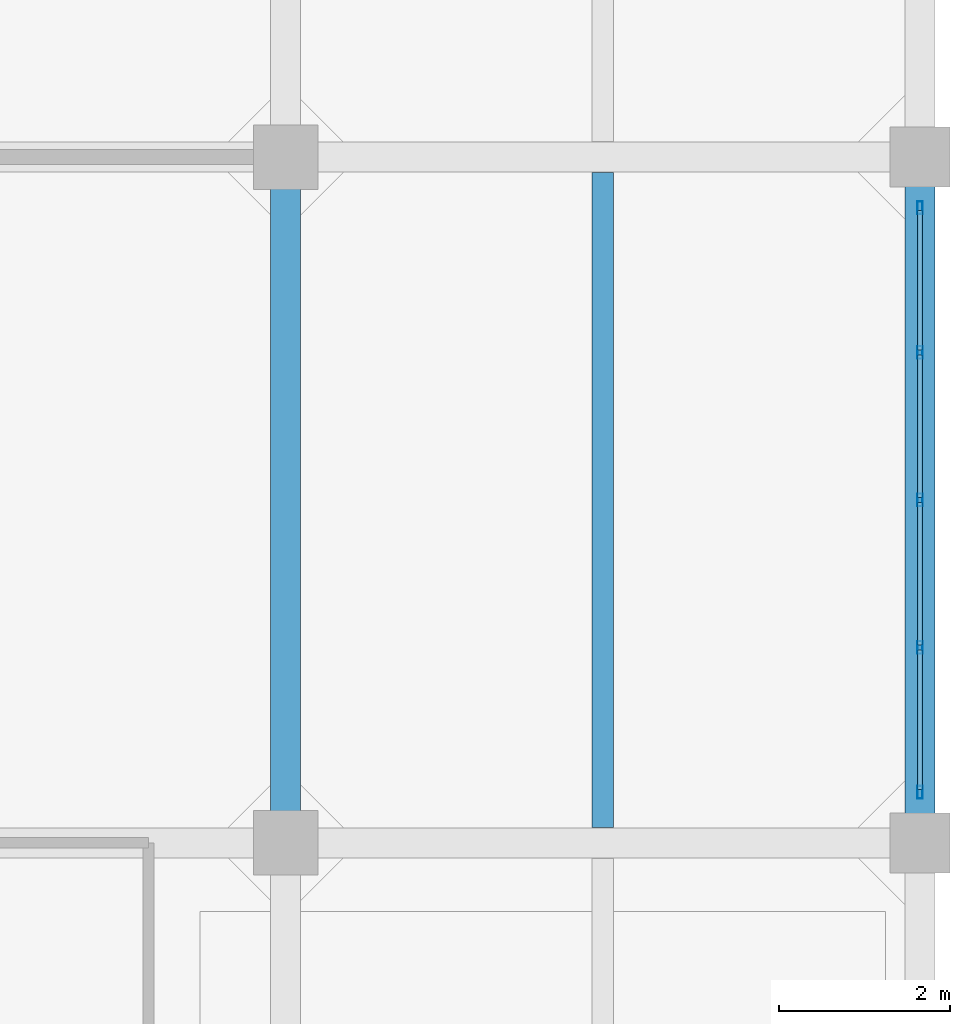
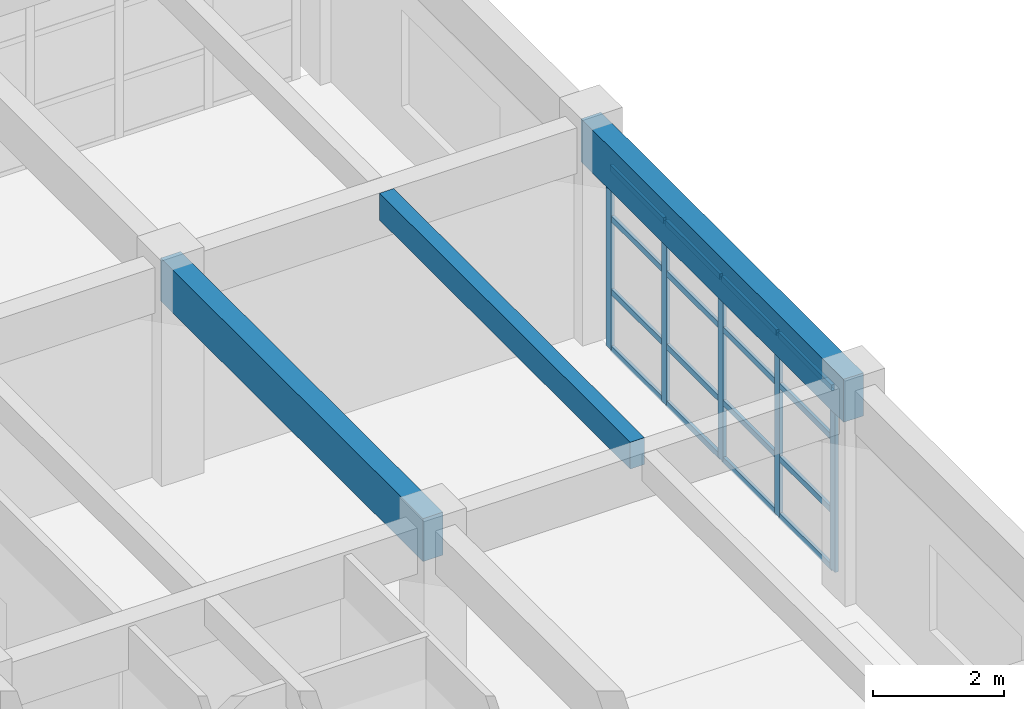
# One storey, part 12 of 27: 21 members, 3 beams, 1 element without a shape of its own.
"""IFC4 building model written with IfcOpenShell, lengths in metres."""

import ifcopenshell
import ifcopenshell.guid

model = None  # the IFC model being written
_history = None  # IfcOwnerHistory: only IFC2X3 demands one
_inside = {}  # id of a spatial element -> (the spatial element, [elements in it])
_under = {}  # id of a project, library or spatial element -> (it, [spatial elements below it])
_declared = {}  # id of a project -> (the project, [libraries it declares])
_typed = {}  # id of a type object -> (the type object, [elements of that type])
_made_of = {}  # id of a material, layer set ... -> (it, [elements and type objects made of it])


def new_model(schema):
    """Start an empty IFC model of exactly this schema.

    Asked for "IFC4X3", IfcOpenShell would pick the latest addendum, in which some entities
    have other attributes; the version numbers below select the first issue.
    IFC2X3 requires an IfcOwnerHistory on every rooted entity: one is made here for all.
    """
    global model, _history
    if schema == "IFC4X3":
        model = ifcopenshell.file(schema_version=(4, 3, 0, 0))
    else:
        model = ifcopenshell.file(schema=schema)
    _inside.clear()
    _under.clear()
    _declared.clear()
    _typed.clear()
    _made_of.clear()
    _history = None
    if model.schema == "IFC2X3":
        org = make("IfcOrganization", Name="unknown")
        user = make(
            "IfcPersonAndOrganization",
            ThePerson=make("IfcPerson", FamilyName="unknown"),
            TheOrganization=org,
        )
        app = make(
            "IfcApplication",
            ApplicationDeveloper=org,
            Version="unknown",
            ApplicationFullName="unknown",
            ApplicationIdentifier="unknown",
        )
        _history = make(
            "IfcOwnerHistory",
            OwningUser=user,
            OwningApplication=app,
            ChangeAction="ADDED",
            CreationDate=0,
        )
    return model


def make(cls, **values):
    """One entity of the class cls with the attributes given. An attribute that is None is left unset."""
    return model.create_entity(
        cls, **{name: value for name, value in values.items() if value is not None}
    )


def rooted(cls, **values):
    """An entity with a GlobalId (a new one), such as an element, a storey or a relation."""
    return make(cls, GlobalId=ifcopenshell.guid.new(), OwnerHistory=_history, **values)


def si_unit(unit_type, name, prefix=None):
    """IfcSIUnit, for example si_unit("LENGTHUNIT", "METRE", prefix="MILLI")."""
    return make("IfcSIUnit", UnitType=unit_type, Prefix=prefix, Name=name)


def assignment(units):
    """IfcUnitAssignment: the units of a project."""
    return None if units is None else make("IfcUnitAssignment", Units=units)


def point(xyz):
    """IfcCartesianPoint."""
    return None if xyz is None else make("IfcCartesianPoint", Coordinates=xyz)


def direction(xyz):
    """IfcDirection."""
    return None if xyz is None else make("IfcDirection", DirectionRatios=xyz)


def frame(location, z_axis=None, x_axis=None):
    """IfcAxis2Placement3D, a coordinate frame: its origin and axes. An axis left out is left unset."""
    return make(
        "IfcAxis2Placement3D",
        Location=point(location),
        Axis=direction(z_axis),
        RefDirection=direction(x_axis),
    )


def frame_2d(location, x_axis=None):
    """IfcAxis2Placement2D, a coordinate frame in the plane: its origin and x axis."""
    return make(
        "IfcAxis2Placement2D", Location=point(location), RefDirection=direction(x_axis)
    )


def origin():
    """The frame at (0, 0, 0) with its axes left unset."""
    return frame((0.0, 0.0, 0.0))


def origin_2d():
    """The frame at (0, 0) in the plane with its x axis left unset."""
    return frame_2d((0.0, 0.0))


def place(relative_to, where):
    """IfcLocalPlacement: puts the frame where relative to a parent placement (None: the world)."""
    return make(
        "IfcLocalPlacement", PlacementRelTo=relative_to, RelativePlacement=where
    )


def context(
    kind, dimensions, precision=None, world=None, true_north=None, identifier=None
):
    """IfcGeometricRepresentationContext, for example the 3D "Model" context."""
    return make(
        "IfcGeometricRepresentationContext",
        ContextIdentifier=identifier,
        ContextType=kind,
        CoordinateSpaceDimension=dimensions,
        Precision=precision,
        WorldCoordinateSystem=world,
        TrueNorth=true_north,
    )


def subcontext(parent, identifier, kind, view, scale=None):
    """IfcGeometricRepresentationSubContext, for example "Body" below "Model"."""
    return make(
        "IfcGeometricRepresentationSubContext",
        ContextIdentifier=identifier,
        ContextType=kind,
        ParentContext=parent,
        TargetScale=scale,
        TargetView=view,
    )


def project(units=None, contexts=None):
    """IfcProject with its units and contexts."""
    return rooted(
        "IfcProject",
        Name="project",
        RepresentationContexts=contexts,
        UnitsInContext=assignment(units),
    )


def spatial(cls, under=None, at=None, **own):
    """A site, building, storey or space (cls), placed at a placement, below another one or the project."""
    s = rooted(cls, ObjectPlacement=at, **own)
    if under is not None:
        _under.setdefault(under.id(), (under, []))[1].append(s)
    return s


def profile(cls, at=None, kind="AREA", **sizes):
    """A parametric profile (cls). Its sizes go by their IFC names, for example OverallWidth=200.0."""
    return make(cls, ProfileType=kind, Position=at, **sizes)


def rectangle(**sizes):
    """IfcRectangleProfileDef."""
    return profile("IfcRectangleProfileDef", **sizes)


def hollow_rectangle(**sizes):
    """IfcRectangleHollowProfileDef."""
    return profile("IfcRectangleHollowProfileDef", **sizes)


def extrude(swept, where, along, depth):
    """IfcExtrudedAreaSolid: the profile swept, set in the frame where, extruded along a direction by depth."""
    return make(
        "IfcExtrudedAreaSolid",
        SweptArea=swept,
        Position=where,
        ExtrudedDirection=direction(along),
        Depth=depth,
    )


def shape(context_of_items, identifier, shape_type, items):
    """IfcShapeRepresentation: the items that make up one representation, for example the "Body"."""
    return make(
        "IfcShapeRepresentation",
        ContextOfItems=context_of_items,
        RepresentationIdentifier=identifier,
        RepresentationType=shape_type,
        Items=items,
    )


def material(Name=None, Category=None):
    """IfcMaterial."""
    return make("IfcMaterial", Name=Name, Category=Category)


def layer(
    of_material, thickness, ventilated=None, Name=None, Category=None, Priority=None
):
    """IfcMaterialLayer: one layer of a wall or slab, of a material (None: an air gap)."""
    return make(
        "IfcMaterialLayer",
        Material=of_material,
        LayerThickness=thickness,
        IsVentilated=ventilated,
        Name=Name,
        Category=Category,
        Priority=Priority,
    )


def layer_set(layers, Name=None):
    """IfcMaterialLayerSet."""
    return make("IfcMaterialLayerSet", MaterialLayers=layers, LayerSetName=Name)


def material_profile(
    of_material, cross_section, Name=None, Category=None, Priority=None
):
    """IfcMaterialProfile: a cross section and its material."""
    return make(
        "IfcMaterialProfile",
        Name=Name,
        Material=of_material,
        Profile=cross_section,
        Priority=Priority,
        Category=Category,
    )


def profile_set(profiles, Name=None, composite=None):
    """IfcMaterialProfileSet."""
    return make(
        "IfcMaterialProfileSet",
        Name=Name,
        MaterialProfiles=profiles,
        CompositeProfile=composite,
    )


def made_of(thing, what):
    """Note that an element or type object is made of a material, layer set ...; save() writes the relation."""
    if what is not None:
        _made_of.setdefault(what.id(), (what, []))[1].append(thing)
    return thing


def type_object(cls, material=None, **own):
    """A type object (cls), such as IfcWallType, which elements share."""
    return made_of(rooted(cls, **own), material)


def element(
    cls,
    number,
    at=None,
    inside=None,
    cuts=None,
    type_object=None,
    material=None,
    context=None,
    identifier="Body",
    shape_type=None,
    held_by="IfcProductDefinitionShape",
    body=None,
    shapes=None,
    **own,
):
    """One element of the class cls, such as IfcWall. Its Tag is "e" and its number.

    at: its placement. inside: the storey or other place that contains it. cuts: it is an
    opening in that element (IfcRelVoidsElement). A single representation is given by context,
    identifier, shape_type and body (its items); several are given by shapes. held_by: the class
    of the entity that holds the representations. save() writes the other relations.
    """
    e = rooted(cls, Tag="e%d" % number, ObjectPlacement=at, **own)
    if body is not None:
        shapes = [shape(context, identifier, shape_type, body)]
    if shapes is not None:
        e.Representation = make(held_by, Representations=shapes)
    if inside is not None:
        _inside.setdefault(inside.id(), (inside, []))[1].append(e)
    if cuts is not None:
        rooted(
            "IfcRelVoidsElement", RelatingBuildingElement=cuts, RelatedOpeningElement=e
        )
    if type_object is not None:
        _typed.setdefault(type_object.id(), (type_object, []))[1].append(e)
    return made_of(e, material)


def aggregate(whole, parts):
    """IfcRelAggregates: a whole, such as a stair, and the parts it consists of."""
    return rooted("IfcRelAggregates", RelatingObject=whole, RelatedObjects=parts)


def save(model, path):
    """Write the relations noted so far, then the file.

    IfcRelAggregates (storeys below a building ...), IfcRelContainedInSpatialStructure (elements
    in a storey), IfcRelDefinesByType, IfcRelAssociatesMaterial and IfcRelDeclares: one each for
    every whole, place, type object, material and project.
    """
    for whole, parts in _under.values():
        aggregate(whole, parts)
    for where, things in _inside.values():
        rooted(
            "IfcRelContainedInSpatialStructure",
            RelatedElements=things,
            RelatingStructure=where,
        )
    for kind, things in _typed.values():
        rooted("IfcRelDefinesByType", RelatedObjects=things, RelatingType=kind)
    for what, things in _made_of.values():
        rooted("IfcRelAssociatesMaterial", RelatedObjects=things, RelatingMaterial=what)
    for by, libraries in _declared.values():
        rooted("IfcRelDeclares", RelatingContext=by, RelatedDefinitions=libraries)
    model.write(path)


model = new_model("IFC4")

# Units and contexts
model_context = context("Model", 3, precision=1e-05, world=origin(), true_north=direction((0.0, 1.0)))
body_context = subcontext(model_context, "Body", "Model", "MODEL_VIEW")
ifc_project = project(units=[si_unit("LENGTHUNIT", "METRE"), si_unit("AREAUNIT", "SQUARE_METRE"), si_unit("VOLUMEUNIT", "CUBIC_METRE"), si_unit("PLANEANGLEUNIT", "RADIAN"), si_unit("MASSUNIT", "GRAM", prefix="KILO")], contexts=[model_context])

# Site, building, storey
site_placement = place(None, origin())
site = spatial("IfcSite", under=ifc_project, at=site_placement, CompositionType="ELEMENT")
building_placement = place(site_placement, origin())
building = spatial("IfcBuilding", under=site, at=building_placement, Name="Canggui Botanical Conservatory", CompositionType="ELEMENT")
storey_placement = place(building_placement, frame((0.0, 0.0, 36.0)))
storey = spatial("IfcBuildingStorey", under=building, at=storey_placement, Name="L09", CompositionType="ELEMENT", Elevation=36.0)

# Beams
ifc_material_1 = material(Name="Concrete C35", Category="concrete")
ifc_material_profile_1 = material_profile(ifc_material_1, rectangle(XDim=0.25, YDim=0.5, at=origin_2d()), Name="RB 250x500")
ifc_profile_set_1 = profile_set([ifc_material_profile_1], Name="Concrete C35")
beam_type_1 = type_object("IfcBeamType", Name="BM-JST04", PredefinedType="JOIST", material=ifc_profile_set_1)
beam_placement = place(storey_placement, frame((173.699951171875, 58.179931640625, 3.7099609375), z_axis=(0.0, 1.0, 0.0), x_axis=(-1.0, 0.0, 0.0)))
element("IfcBeam", 1, at=beam_placement, inside=storey, type_object=beam_type_1, Name="Secondary Floor Joist L09-4-4", PredefinedType="JOIST", context=body_context, shape_type="SweptSolid", body=[
    extrude(rectangle(XDim=0.25, YDim=0.5, at=origin_2d()), origin(), (0.0, 0.0, 1.0), 7.64013671875),
])
ifc_material_profile_2 = material_profile(ifc_material_1, rectangle(XDim=0.35009765625, YDim=0.800048828125, at=origin_2d()), Name="RB 350x800")
ifc_profile_set_2 = profile_set([ifc_material_profile_2], Name="Concrete C35")
beam_type_2 = type_object("IfcBeamType", Name="BM-KL15", PredefinedType="BEAM", material=ifc_profile_set_2)
for number, where, z_axis, x_axis, name in (
    (2, (170.0, 58.0, 3.56005859375), (0.0, 1.0, 0.0), (-1.0, 0.0, 0.0), "Frame Girder L09 X170-4"),
    (3, (177.39990234375, 58.0, 3.56005859375), (0.0, 1.0, 0.0), (-1.0, 0.0, 0.0), "Frame Girder L09 X178-4"),
):
    element("IfcBeam", number, at=place(storey_placement, frame(where, z_axis=z_axis, x_axis=x_axis)), inside=storey, type_object=beam_type_2, Name=name, PredefinedType="BEAM", context=body_context, shape_type="SweptSolid", body=[
        extrude(rectangle(XDim=0.35009765625, YDim=0.800048828125, at=origin_2d()), origin(), (0.0, 0.0, 1.0), 8.0),
    ])

# Curtain wall, members
ifc_material_2 = material(Name="Thermally Broken Aluminium", Category="aluminium")
ifc_layer = layer(ifc_material_2, 0.14990234375, Name="Thermally Broken Aluminium", Category="aluminium")
ifc_layer_set = layer_set([ifc_layer], Name="Thermally Broken Aluminium")
curtain_wall_type = type_object("IfcCurtainWallType", Name="CW-UNIT-C", PredefinedType="USERDEFINED", material=ifc_layer_set)
curtain_wall_placement = place(storey_placement, origin())
curtain_wall = element("IfcCurtainWall", 4, at=curtain_wall_placement, inside=storey, type_object=curtain_wall_type, Name="Facade Curtain Wall CW-TWR-L09-17", ObjectType="UNITISED CURTAIN WALL", PredefinedType="USERDEFINED")
ifc_material_profile_3 = material_profile(ifc_material_2, hollow_rectangle(XDim=0.06005859375, YDim=0.14990234375, WallThickness=0.00341796875, at=origin_2d()), Name="CWM 60x150x3.5")
ifc_profile_set_3 = profile_set([ifc_material_profile_3], Name="Thermally Broken Aluminium")
member_type_1 = type_object("IfcMemberType", Name="CWM-03", PredefinedType="MULLION", material=ifc_profile_set_3)
member_1_placement = place(storey_placement, frame((177.39990234375, 65.409912109375, 0.0), z_axis=(0.0, 0.0, 1.0), x_axis=(1.0, 0.0, 0.0)))
member_1 = element("IfcMember", 5, at=member_1_placement, type_object=member_type_1, Name="CW-03 mullion 1", PredefinedType="MULLION", context=body_context, shape_type="SweptSolid", body=[
    extrude(hollow_rectangle(XDim=0.06005859375, YDim=0.14990234375, WallThickness=0.00341796875, at=origin_2d()), origin(), (0.0, 0.0, 1.0), 3.39990234375),
])
member_2_placement = place(storey_placement, frame((177.39990234375, 63.719970703125, 0.0), z_axis=(0.0, 0.0, 1.0), x_axis=(1.0, 0.0, 0.0)))
member_2 = element("IfcMember", 6, at=member_2_placement, type_object=member_type_1, Name="CW-03 mullion 2", PredefinedType="MULLION", context=body_context, shape_type="SweptSolid", body=[
    extrude(hollow_rectangle(XDim=0.06005859375, YDim=0.14990234375, WallThickness=0.00341796875, at=origin_2d()), origin(), (0.0, 0.0, 1.0), 3.39990234375),
])
member_3_placement = place(storey_placement, frame((177.39990234375, 62.0, 0.0), z_axis=(0.0, 0.0, 1.0), x_axis=(1.0, 0.0, 0.0)))
member_3 = element("IfcMember", 7, at=member_3_placement, type_object=member_type_1, Name="CW-03 mullion 3", PredefinedType="MULLION", context=body_context, shape_type="SweptSolid", body=[
    extrude(hollow_rectangle(XDim=0.06005859375, YDim=0.14990234375, WallThickness=0.00341796875, at=origin_2d()), origin(), (0.0, 0.0, 1.0), 3.39990234375),
])
member_4_placement = place(storey_placement, frame((177.39990234375, 60.280029296875, 0.0), z_axis=(0.0, 0.0, 1.0), x_axis=(1.0, 0.0, 0.0)))
member_4 = element("IfcMember", 8, at=member_4_placement, type_object=member_type_1, Name="CW-03 mullion 4", PredefinedType="MULLION", context=body_context, shape_type="SweptSolid", body=[
    extrude(hollow_rectangle(XDim=0.06005859375, YDim=0.14990234375, WallThickness=0.00341796875, at=origin_2d()), origin(), (0.0, 0.0, 1.0), 3.39990234375),
])
member_5_placement = place(storey_placement, frame((177.39990234375, 58.590087890625, 0.0), z_axis=(0.0, 0.0, 1.0), x_axis=(1.0, 0.0, 0.0)))
member_5 = element("IfcMember", 9, at=member_5_placement, type_object=member_type_1, Name="CW-03 mullion 5", PredefinedType="MULLION", context=body_context, shape_type="SweptSolid", body=[
    extrude(hollow_rectangle(XDim=0.06005859375, YDim=0.14990234375, WallThickness=0.00341796875, at=origin_2d()), origin(), (0.0, 0.0, 1.0), 3.39990234375),
])
ifc_material_profile_4 = material_profile(ifc_material_2, hollow_rectangle(XDim=0.054931640625, YDim=0.110107421875, WallThickness=0.0029296875, at=origin_2d()), Name="CWT 55x110x3")
ifc_profile_set_4 = profile_set([ifc_material_profile_4], Name="Thermally Broken Aluminium")
member_type_2 = type_object("IfcMemberType", Name="CWT-03", PredefinedType="USERDEFINED", material=ifc_profile_set_4)
member_6_placement = place(storey_placement, frame((177.39990234375, 65.3798828125, 0.027587890625), z_axis=(0.0, -1.0, 0.0), x_axis=(1.0, 0.0, 0.0)))
member_6 = element("IfcMember", 10, at=member_6_placement, type_object=member_type_2, Name="CW-03 transom 1.1", ObjectType="TRANSOM", PredefinedType="USERDEFINED", context=body_context, shape_type="SweptSolid", body=[
    extrude(hollow_rectangle(XDim=0.054931640625, YDim=0.110107421875, WallThickness=0.0029296875, at=origin_2d()), origin(), (0.0, 0.0, 1.0), 1.6298828125),
])
member_7_placement = place(storey_placement, frame((177.39990234375, 65.3798828125, 1.087890625), z_axis=(0.0, -1.0, 0.0), x_axis=(1.0, 0.0, 0.0)))
member_7 = element("IfcMember", 11, at=member_7_placement, type_object=member_type_2, Name="CW-03 transom 1.2", ObjectType="TRANSOM", PredefinedType="USERDEFINED", context=body_context, shape_type="SweptSolid", body=[
    extrude(hollow_rectangle(XDim=0.054931640625, YDim=0.110107421875, WallThickness=0.0029296875, at=origin_2d()), origin(), (0.0, 0.0, 1.0), 1.6298828125),
])
member_8_placement = place(storey_placement, frame((177.39990234375, 65.3798828125, 2.447998046875), z_axis=(0.0, -1.0, 0.0), x_axis=(1.0, 0.0, 0.0)))
member_8 = element("IfcMember", 12, at=member_8_placement, type_object=member_type_2, Name="CW-03 transom 1.3", ObjectType="TRANSOM", PredefinedType="USERDEFINED", context=body_context, shape_type="SweptSolid", body=[
    extrude(hollow_rectangle(XDim=0.054931640625, YDim=0.110107421875, WallThickness=0.0029296875, at=origin_2d()), origin(), (0.0, 0.0, 1.0), 1.6298828125),
])
member_9_placement = place(storey_placement, frame((177.39990234375, 65.3798828125, 3.37255859375), z_axis=(0.0, -1.0, 0.0), x_axis=(1.0, 0.0, 0.0)))
member_9 = element("IfcMember", 13, at=member_9_placement, type_object=member_type_2, Name="CW-03 transom 1.4", ObjectType="TRANSOM", PredefinedType="USERDEFINED", context=body_context, shape_type="SweptSolid", body=[
    extrude(hollow_rectangle(XDim=0.054931640625, YDim=0.110107421875, WallThickness=0.0029296875, at=origin_2d()), origin(), (0.0, 0.0, 1.0), 1.6298828125),
])
member_10_placement = place(storey_placement, frame((177.39990234375, 63.68994140625, 0.027587890625), z_axis=(0.0, -1.0, 0.0), x_axis=(1.0, 0.0, 0.0)))
member_10 = element("IfcMember", 14, at=member_10_placement, type_object=member_type_2, Name="CW-03 transom 2.1", ObjectType="TRANSOM", PredefinedType="USERDEFINED", context=body_context, shape_type="SweptSolid", body=[
    extrude(hollow_rectangle(XDim=0.054931640625, YDim=0.110107421875, WallThickness=0.0029296875, at=origin_2d()), origin(), (0.0, 0.0, 1.0), 1.659912109375),
])
member_11_placement = place(storey_placement, frame((177.39990234375, 63.68994140625, 1.087890625), z_axis=(0.0, -1.0, 0.0), x_axis=(1.0, 0.0, 0.0)))
member_11 = element("IfcMember", 15, at=member_11_placement, type_object=member_type_2, Name="CW-03 transom 2.2", ObjectType="TRANSOM", PredefinedType="USERDEFINED", context=body_context, shape_type="SweptSolid", body=[
    extrude(hollow_rectangle(XDim=0.054931640625, YDim=0.110107421875, WallThickness=0.0029296875, at=origin_2d()), origin(), (0.0, 0.0, 1.0), 1.659912109375),
])
member_12_placement = place(storey_placement, frame((177.39990234375, 63.68994140625, 2.447998046875), z_axis=(0.0, -1.0, 0.0), x_axis=(1.0, 0.0, 0.0)))
member_12 = element("IfcMember", 16, at=member_12_placement, type_object=member_type_2, Name="CW-03 transom 2.3", ObjectType="TRANSOM", PredefinedType="USERDEFINED", context=body_context, shape_type="SweptSolid", body=[
    extrude(hollow_rectangle(XDim=0.054931640625, YDim=0.110107421875, WallThickness=0.0029296875, at=origin_2d()), origin(), (0.0, 0.0, 1.0), 1.659912109375),
])
member_13_placement = place(storey_placement, frame((177.39990234375, 63.68994140625, 3.37255859375), z_axis=(0.0, -1.0, 0.0), x_axis=(1.0, 0.0, 0.0)))
member_13 = element("IfcMember", 17, at=member_13_placement, type_object=member_type_2, Name="CW-03 transom 2.4", ObjectType="TRANSOM", PredefinedType="USERDEFINED", context=body_context, shape_type="SweptSolid", body=[
    extrude(hollow_rectangle(XDim=0.054931640625, YDim=0.110107421875, WallThickness=0.0029296875, at=origin_2d()), origin(), (0.0, 0.0, 1.0), 1.659912109375),
])
member_14_placement = place(storey_placement, frame((177.39990234375, 61.969970703125, 0.027587890625), z_axis=(0.0, -1.0, 0.0), x_axis=(1.0, 0.0, 0.0)))
member_14 = element("IfcMember", 18, at=member_14_placement, type_object=member_type_2, Name="CW-03 transom 3.1", ObjectType="TRANSOM", PredefinedType="USERDEFINED", context=body_context, shape_type="SweptSolid", body=[
    extrude(hollow_rectangle(XDim=0.054931640625, YDim=0.110107421875, WallThickness=0.0029296875, at=origin_2d()), origin(), (0.0, 0.0, 1.0), 1.659912109375),
])
member_15_placement = place(storey_placement, frame((177.39990234375, 61.969970703125, 1.087890625), z_axis=(0.0, -1.0, 0.0), x_axis=(1.0, 0.0, 0.0)))
member_15 = element("IfcMember", 19, at=member_15_placement, type_object=member_type_2, Name="CW-03 transom 3.2", ObjectType="TRANSOM", PredefinedType="USERDEFINED", context=body_context, shape_type="SweptSolid", body=[
    extrude(hollow_rectangle(XDim=0.054931640625, YDim=0.110107421875, WallThickness=0.0029296875, at=origin_2d()), origin(), (0.0, 0.0, 1.0), 1.659912109375),
])
member_16_placement = place(storey_placement, frame((177.39990234375, 61.969970703125, 2.447998046875), z_axis=(0.0, -1.0, 0.0), x_axis=(1.0, 0.0, 0.0)))
member_16 = element("IfcMember", 20, at=member_16_placement, type_object=member_type_2, Name="CW-03 transom 3.3", ObjectType="TRANSOM", PredefinedType="USERDEFINED", context=body_context, shape_type="SweptSolid", body=[
    extrude(hollow_rectangle(XDim=0.054931640625, YDim=0.110107421875, WallThickness=0.0029296875, at=origin_2d()), origin(), (0.0, 0.0, 1.0), 1.659912109375),
])
member_17_placement = place(storey_placement, frame((177.39990234375, 61.969970703125, 3.37255859375), z_axis=(0.0, -1.0, 0.0), x_axis=(1.0, 0.0, 0.0)))
member_17 = element("IfcMember", 21, at=member_17_placement, type_object=member_type_2, Name="CW-03 transom 3.4", ObjectType="TRANSOM", PredefinedType="USERDEFINED", context=body_context, shape_type="SweptSolid", body=[
    extrude(hollow_rectangle(XDim=0.054931640625, YDim=0.110107421875, WallThickness=0.0029296875, at=origin_2d()), origin(), (0.0, 0.0, 1.0), 1.659912109375),
])
member_18_placement = place(storey_placement, frame((177.39990234375, 60.25, 0.027587890625), z_axis=(0.0, -1.0, 0.0), x_axis=(1.0, 0.0, 0.0)))
member_18 = element("IfcMember", 22, at=member_18_placement, type_object=member_type_2, Name="CW-03 transom 4.1", ObjectType="TRANSOM", PredefinedType="USERDEFINED", context=body_context, shape_type="SweptSolid", body=[
    extrude(hollow_rectangle(XDim=0.054931640625, YDim=0.110107421875, WallThickness=0.0029296875, at=origin_2d()), origin(), (0.0, 0.0, 1.0), 1.6298828125),
])
member_19_placement = place(storey_placement, frame((177.39990234375, 60.25, 1.087890625), z_axis=(0.0, -1.0, 0.0), x_axis=(1.0, 0.0, 0.0)))
member_19 = element("IfcMember", 23, at=member_19_placement, type_object=member_type_2, Name="CW-03 transom 4.2", ObjectType="TRANSOM", PredefinedType="USERDEFINED", context=body_context, shape_type="SweptSolid", body=[
    extrude(hollow_rectangle(XDim=0.054931640625, YDim=0.110107421875, WallThickness=0.0029296875, at=origin_2d()), origin(), (0.0, 0.0, 1.0), 1.6298828125),
])
member_20_placement = place(storey_placement, frame((177.39990234375, 60.25, 2.447998046875), z_axis=(0.0, -1.0, 0.0), x_axis=(1.0, 0.0, 0.0)))
member_20 = element("IfcMember", 24, at=member_20_placement, type_object=member_type_2, Name="CW-03 transom 4.3", ObjectType="TRANSOM", PredefinedType="USERDEFINED", context=body_context, shape_type="SweptSolid", body=[
    extrude(hollow_rectangle(XDim=0.054931640625, YDim=0.110107421875, WallThickness=0.0029296875, at=origin_2d()), origin(), (0.0, 0.0, 1.0), 1.6298828125),
])
member_21_placement = place(storey_placement, frame((177.39990234375, 60.25, 3.37255859375), z_axis=(0.0, -1.0, 0.0), x_axis=(1.0, 0.0, 0.0)))
member_21 = element("IfcMember", 25, at=member_21_placement, type_object=member_type_2, Name="CW-03 transom 4.4", ObjectType="TRANSOM", PredefinedType="USERDEFINED", context=body_context, shape_type="SweptSolid", body=[
    extrude(hollow_rectangle(XDim=0.054931640625, YDim=0.110107421875, WallThickness=0.0029296875, at=origin_2d()), origin(), (0.0, 0.0, 1.0), 1.6298828125),
])
aggregate(curtain_wall, [member_1, member_2, member_3, member_4, member_5, member_6, member_7, member_8, member_9, member_10, member_11, member_12, member_13, member_14, member_15, member_16, member_17, member_18, member_19, member_20, member_21])

save(model, "model.ifc")
